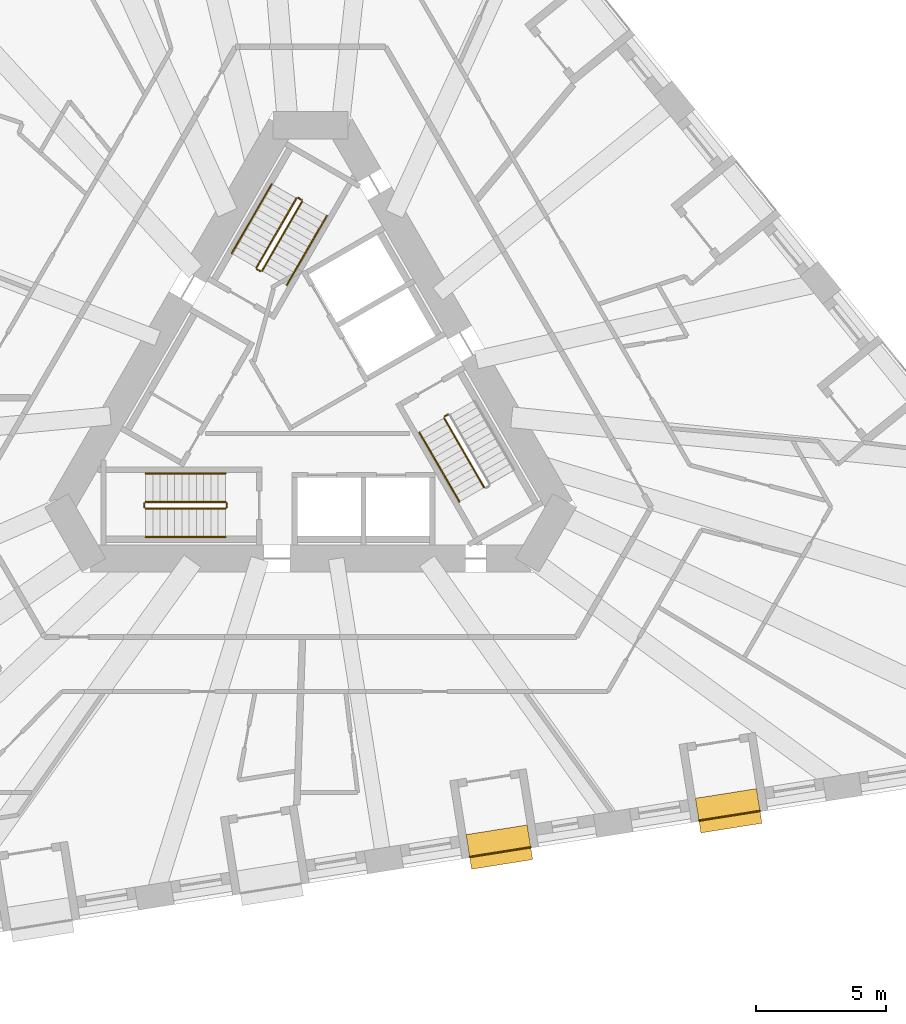
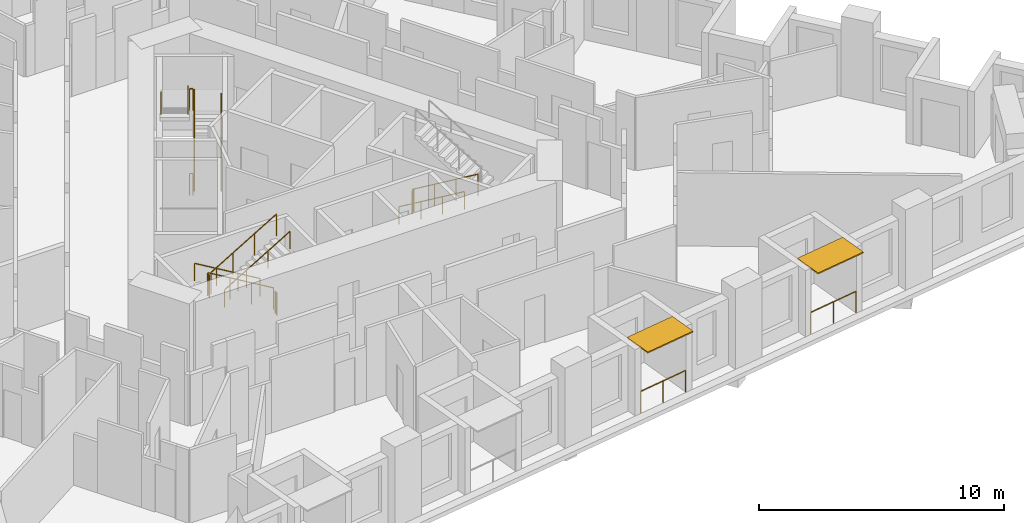
# One storey, part 12 of 14: 17 railings, 2 shading devices.
"""IFC4 building model written with IfcOpenShell, lengths in metres."""

from ifc_helpers import new_model, si_unit, direction, frame, origin, origin_2d, place, context, subcontext, project, spatial, rectangle, circle, extrude, material, layer, layer_set, type_object, element, save


model = new_model("IFC4")

# Units and contexts
model_context = context("Model", 3, precision=1e-05, world=origin(), true_north=direction((0.0, 1.0)))
body_context = subcontext(model_context, "Body", "Model", "MODEL_VIEW")
ifc_project = project(units=[si_unit("LENGTHUNIT", "METRE"), si_unit("AREAUNIT", "SQUARE_METRE"), si_unit("VOLUMEUNIT", "CUBIC_METRE"), si_unit("PLANEANGLEUNIT", "RADIAN"), si_unit("MASSUNIT", "GRAM", prefix="KILO")], contexts=[model_context])

# Site, building, storey
site_placement = place(None, origin())
site = spatial("IfcSite", under=ifc_project, at=site_placement, CompositionType="ELEMENT")
building_placement = place(site_placement, origin())
building = spatial("IfcBuilding", under=site, at=building_placement, Name="Tramontana Tower", CompositionType="ELEMENT")
storey_placement = place(building_placement, frame((0.0, 0.0, 67.199951171875)))
storey = spatial("IfcBuildingStorey", under=building, at=storey_placement, Name="L14", CompositionType="ELEMENT", Elevation=67.199951171875)

# Railings
ifc_material_1 = material(Name="Laminated glass balustrade", Category="glass")
railing_type_1 = type_object("IfcRailingType", Name="GD1 Loggia glass balustrade 1100", PredefinedType="BALUSTRADE", material=ifc_material_1)
railing_1_placement = place(storey_placement, frame((6.1318359375, -17.72900390625, 0.0)))
element("IfcRailing", 1, at=railing_1_placement, inside=storey, type_object=railing_type_1, Name="Loggia balustrade L14 G1S1.10", PredefinedType="BALUSTRADE", context=body_context, shape_type="SweptSolid", body=[
    extrude(circle(Radius=0.02392578125, at=origin_2d()), frame((0.0, 0.0, 1.076171875), z_axis=(0.987688093492, 0.15643602518, 0.0), x_axis=(-0.15643602518, 0.987688093492, 0.0)), (0.0, 0.0, 1.0), 2.383056640625),
    extrude(circle(Radius=0.02099609375, at=origin_2d()), origin(), (0.0, 0.0, 1.0), 1.052001953125),
    extrude(circle(Radius=0.02099609375, at=origin_2d()), frame((1.1767578125, 0.1865234375, 0.0)), (0.0, 0.0, 1.0), 1.052001953125),
    extrude(circle(Radius=0.02099609375, at=origin_2d()), frame((2.353759765625, 0.372802734375, 0.0)), (0.0, 0.0, 1.0), 1.052001953125),
])
railing_2_placement = place(storey_placement, frame((14.970703125, -16.3291015625, 0.0)))
element("IfcRailing", 2, at=railing_2_placement, inside=storey, type_object=railing_type_1, Name="Loggia balustrade L14 G1S1.13", PredefinedType="BALUSTRADE", context=body_context, shape_type="SweptSolid", body=[
    extrude(circle(Radius=0.02392578125, at=origin_2d()), frame((0.0, 0.0, 1.076171875), z_axis=(0.987685586014, 0.156451855793, 0.0), x_axis=(-0.156451855793, 0.987685586014, 0.0)), (0.0, 0.0, 1.0), 2.3828125),
    extrude(circle(Radius=0.02099609375, at=origin_2d()), origin(), (0.0, 0.0, 1.0), 1.052001953125),
    extrude(circle(Radius=0.02099609375, at=origin_2d()), frame((1.1767578125, 0.1865234375, 0.0)), (0.0, 0.0, 1.0), 1.052001953125),
    extrude(circle(Radius=0.02099609375, at=origin_2d()), frame((2.353515625, 0.372802734375, 0.0)), (0.0, 0.0, 1.0), 1.052001953125),
])

# Shading devices
ifc_material_2 = material(Name="Precast concrete 60 MPa", Category="concrete")
ifc_layer = layer(ifc_material_2, 0.06005859375)
ifc_layer_set = layer_set([ifc_layer], Name="SS1 Stone sunshade blade 60")
shading_device_type = type_object("IfcShadingDeviceType", Name="SS1 Stone sunshade blade 60", PredefinedType="USERDEFINED", material=ifc_layer_set)
for number, where, z_axis, x_axis, name in (
    (3, (7.2783203125, -17.35009765625, 3.239990234375), (0.0, 0.0, 1.0), (0.987688340595, 0.15643446504, 0.0), "Sunshade L14 G1S1.10"),
    (4, (16.116943359375, -15.9501953125, 3.239990234375), (0.0, 0.0, 1.0), (0.987688340595, 0.15643446504, 0.0), "Sunshade L14 G1S1.13"),
):
    element("IfcShadingDevice", number, at=place(storey_placement, frame(where, z_axis=z_axis, x_axis=x_axis)), inside=storey, type_object=shading_device_type, Name=name, ObjectType="SUNSHADE", PredefinedType="USERDEFINED", context=body_context, shape_type="SweptSolid", body=[
        extrude(rectangle(XDim=2.383056640625, YDim=1.35009765625, at=origin_2d()), origin(), (0.0, 0.0, 1.0), 0.06005859375),
    ])

# Railings
ifc_material_3 = material(Name="Painted steel", Category="steel")
railing_type_2 = type_object("IfcRailingType", Name="STAIR GUARD 1100", PredefinedType="GUARDRAIL", material=ifc_material_3)
railing_3_placement = place(storey_placement, frame((-1.867431640625, 4.865478515625, 0.166748046875)))
element("IfcRailing", 5, at=railing_3_placement, inside=storey, type_object=railing_type_2, Name="L14 ST1 stair guard 1", PredefinedType="GUARDRAIL", context=body_context, shape_type="SweptSolid", body=[
    extrude(circle(Radius=0.02392578125, at=origin_2d()), frame((0.0, 0.0, 1.076171875), z_axis=(0.429649414936, 0.744189839504, 0.511451721109), x_axis=(-0.866029832698, 0.499992328818, 0.0)), (0.0, 0.0, 1.0), 3.58447265625),
    extrude(circle(Radius=0.02099609375, at=origin_2d()), origin(), (0.0, 0.0, 1.0), 1.052001953125),
    extrude(circle(Radius=0.02099609375, at=origin_2d()), frame((0.513427734375, 0.88916015625, 0.611083984375)), (0.0, 0.0, 1.0), 1.052001953125),
    extrude(circle(Radius=0.02099609375, at=origin_2d()), frame((1.026611328125, 1.7783203125, 1.22216796875)), (0.0, 0.0, 1.0), 1.052001953125),
    extrude(circle(Radius=0.02099609375, at=origin_2d()), frame((1.5400390625, 2.66748046875, 1.833251953125)), (0.0, 0.0, 1.0), 1.052001953125),
])
railing_4_placement = place(storey_placement, frame((-0.5439453125, 7.657958984375, 2.166748046875)))
element("IfcRailing", 6, at=railing_4_placement, inside=storey, type_object=railing_type_2, Name="L14 ST1 stair guard 2", PredefinedType="GUARDRAIL", context=body_context, shape_type="SweptSolid", body=[
    extrude(circle(Radius=0.02392578125, at=origin_2d()), frame((0.0, 0.0, 1.076171875), z_axis=(-0.429649414936, -0.744189839504, 0.511451721109), x_axis=(0.866029832698, -0.499992328818, 0.0)), (0.0, 0.0, 1.0), 3.58447265625),
    extrude(circle(Radius=0.02099609375, at=origin_2d()), origin(), (0.0, 0.0, 1.0), 1.052001953125),
    extrude(circle(Radius=0.02099609375, at=origin_2d()), frame((-0.513427734375, -0.88916015625, 0.611083984375)), (0.0, 0.0, 1.0), 1.052001953125),
    extrude(circle(Radius=0.02099609375, at=origin_2d()), frame((-1.026611328125, -1.7783203125, 1.22216796875)), (0.0, 0.0, 1.0), 1.052001953125),
    extrude(circle(Radius=0.02099609375, at=origin_2d()), frame((-1.5400390625, -2.66748046875, 1.833251953125)), (0.0, 0.0, 1.0), 1.052001953125),
])
railing_5_placement = place(storey_placement, frame((-0.345703125, 7.601318359375, 2.0)))
element("IfcRailing", 7, at=railing_5_placement, inside=storey, type_object=railing_type_2, Name="L14 ST1 stair guard 3", PredefinedType="GUARDRAIL", context=body_context, shape_type="SweptSolid", body=[
    extrude(circle(Radius=0.02392578125, at=origin_2d()), frame((0.0, 0.0, 1.076171875), z_axis=(-0.866131372301, 0.499816412211, 0.0), x_axis=(-0.499816412211, -0.866131372301, 0.0)), (0.0, 0.0, 1.0), 0.14990234375),
    extrude(circle(Radius=0.02099609375, at=origin_2d()), origin(), (0.0, 0.0, 1.0), 1.052001953125),
    extrude(circle(Radius=0.02099609375, at=origin_2d()), frame((-0.1298828125, 0.074951171875, 0.0)), (0.0, 0.0, 1.0), 1.052001953125),
])
railing_6_placement = place(storey_placement, frame((-1.935791015625, 4.84716796875, 0.0)))
element("IfcRailing", 8, at=railing_6_placement, inside=storey, type_object=railing_type_2, Name="L14 ST1 stair guard 4", PredefinedType="GUARDRAIL", context=body_context, shape_type="SweptSolid", body=[
    extrude(circle(Radius=0.02392578125, at=origin_2d()), frame((0.0, 0.0, 1.076171875), z_axis=(-0.865426285481, 0.501036270542, 0.0), x_axis=(-0.501036270542, -0.865426285481, 0.0)), (0.0, 0.0, 1.0), 0.150146484375),
    extrude(circle(Radius=0.02099609375, at=origin_2d()), origin(), (0.0, 0.0, 1.0), 1.052001953125),
    extrude(circle(Radius=0.02099609375, at=origin_2d()), frame((-0.1298828125, 0.0751953125, 0.0)), (0.0, 0.0, 1.0), 1.052001953125),
])
railing_7_placement = place(storey_placement, frame((-3.280029296875, -4.050048828125, 0.166748046875)))
element("IfcRailing", 9, at=railing_7_placement, inside=storey, type_object=railing_type_2, Name="L14 ST2 stair guard 1", PredefinedType="GUARDRAIL", context=body_context, shape_type="SweptSolid", body=[
    extrude(circle(Radius=0.02392578125, at=origin_2d()), frame((0.0, 0.0, 1.076171875), z_axis=(-0.859308565015, 0.0, 0.511457515432), x_axis=(0.0, -1.0, 0.0)), (0.0, 0.0, 1.0), 3.58447265625),
    extrude(circle(Radius=0.02099609375, at=origin_2d()), origin(), (0.0, 0.0, 1.0), 1.052001953125),
    extrude(circle(Radius=0.02099609375, at=origin_2d()), frame((-1.026611328125, 0.0, 0.611083984375)), (0.0, 0.0, 1.0), 1.052001953125),
    extrude(circle(Radius=0.02099609375, at=origin_2d()), frame((-2.053466796875, 0.0, 1.22216796875)), (0.0, 0.0, 1.0), 1.052001953125),
    extrude(circle(Radius=0.02099609375, at=origin_2d()), frame((-3.080078125, 0.0, 1.833251953125)), (0.0, 0.0, 1.0), 1.052001953125),
])
railing_8_placement = place(storey_placement, frame((-6.360107421875, -4.300048828125, 2.166748046875)))
element("IfcRailing", 10, at=railing_8_placement, inside=storey, type_object=railing_type_2, Name="L14 ST2 stair guard 2", PredefinedType="GUARDRAIL", context=body_context, shape_type="SweptSolid", body=[
    extrude(circle(Radius=0.02392578125, at=origin_2d()), frame((0.0, 0.0, 1.076171875), z_axis=(0.859308565015, 0.0, 0.511457515432), x_axis=(0.0, 1.0, 0.0)), (0.0, 0.0, 1.0), 3.58447265625),
    extrude(circle(Radius=0.02099609375, at=origin_2d()), origin(), (0.0, 0.0, 1.0), 1.052001953125),
    extrude(circle(Radius=0.02099609375, at=origin_2d()), frame((1.026611328125, 0.0, 0.611083984375)), (0.0, 0.0, 1.0), 1.052001953125),
    extrude(circle(Radius=0.02099609375, at=origin_2d()), frame((2.053466796875, 0.0, 1.22216796875)), (0.0, 0.0, 1.0), 1.052001953125),
    extrude(circle(Radius=0.02099609375, at=origin_2d()), frame((3.080078125, 0.0, 1.833251953125)), (0.0, 0.0, 1.0), 1.052001953125),
])
for number, where, name in (
    (11, (-6.409912109375, -4.10009765625, 2.0), "L14 ST2 stair guard 3"),
    (12, (-3.22998046875, -4.10009765625, 0.0), "L14 ST2 stair guard 4"),
):
    element("IfcRailing", number, at=place(storey_placement, frame(where)), inside=storey, type_object=railing_type_2, Name=name, PredefinedType="GUARDRAIL", context=body_context, shape_type="SweptSolid", body=[
        extrude(circle(Radius=0.02392578125, at=origin_2d()), frame((0.0, 0.0, 1.076171875), z_axis=(0.0, -1.0, 0.0), x_axis=(1.0, 0.0, 0.0)), (0.0, 0.0, 1.0), 0.14990234375),
        extrude(circle(Radius=0.02099609375, at=origin_2d()), origin(), (0.0, 0.0, 1.0), 1.052001953125),
        extrude(circle(Radius=0.02099609375, at=origin_2d()), frame((0.0, -0.14990234375, 0.0)), (0.0, 0.0, 1.0), 1.052001953125),
    ])
railing_9_placement = place(storey_placement, frame((5.1474609375, -0.815673828125, 0.166748046875)))
element("IfcRailing", 13, at=railing_9_placement, inside=storey, type_object=railing_type_2, Name="L14 ST3 stair guard 1", PredefinedType="GUARDRAIL", context=body_context, shape_type="SweptSolid", body=[
    extrude(circle(Radius=0.02392578125, at=origin_2d()), frame((0.0, 0.0, 1.076171875), z_axis=(0.429671193721, -0.744159446956, 0.511477646425), x_axis=(0.866010015463, 0.500026652407, 0.0)), (0.0, 0.0, 1.0), 3.584228515625),
    extrude(circle(Radius=0.02099609375, at=origin_2d()), origin(), (0.0, 0.0, 1.0), 1.052001953125),
    extrude(circle(Radius=0.02099609375, at=origin_2d()), frame((0.513427734375, -0.88916015625, 0.611083984375)), (0.0, 0.0, 1.0), 1.052001953125),
    extrude(circle(Radius=0.02099609375, at=origin_2d()), frame((1.026611328125, -1.778076171875, 1.22216796875)), (0.0, 0.0, 1.0), 1.052001953125),
    extrude(circle(Radius=0.02099609375, at=origin_2d()), frame((1.5400390625, -2.667236328125, 1.833251953125)), (0.0, 0.0, 1.0), 1.052001953125),
])
railing_10_placement = place(storey_placement, frame((5.165771484375, -0.747314453125, 0.0)))
element("IfcRailing", 14, at=railing_10_placement, inside=storey, type_object=railing_type_2, Name="L14 ST3 stair guard 4", PredefinedType="GUARDRAIL", context=body_context, shape_type="SweptSolid", body=[
    extrude(circle(Radius=0.02392578125, at=origin_2d()), frame((0.0, 0.0, 1.076171875), z_axis=(0.866131372301, 0.499816412211, 0.0), x_axis=(-0.499816412211, 0.866131372301, 0.0)), (0.0, 0.0, 1.0), 0.14990234375),
    extrude(circle(Radius=0.02099609375, at=origin_2d()), origin(), (0.0, 0.0, 1.0), 1.052001953125),
    extrude(circle(Radius=0.02099609375, at=origin_2d()), frame((0.1298828125, 0.074951171875, 0.0)), (0.0, 0.0, 1.0), 1.052001953125),
])
ifc_material_4 = material(Name="Painted steel", Category="steel")
railing_type_3 = type_object("IfcRailingType", Name="STAIR HANDRAIL 900", PredefinedType="HANDRAIL", material=ifc_material_4)
railing_11_placement = place(storey_placement, frame((-0.914794921875, 4.315673828125, 0.166748046875)))
element("IfcRailing", 15, at=railing_11_placement, inside=storey, type_object=railing_type_3, Name="L14 ST1 stair handrail 1", PredefinedType="HANDRAIL", context=body_context, shape_type="SweptSolid", body=[
    extrude(circle(Radius=0.02392578125, at=origin_2d()), frame((0.0, 0.0, 0.8759765625), z_axis=(0.429671193721, 0.744159446956, 0.511477646425), x_axis=(-0.866010015463, 0.500026652407, 0.0)), (0.0, 0.0, 1.0), 3.584228515625),
    extrude(circle(Radius=0.02099609375, at=origin_2d()), origin(), (0.0, 0.0, 1.0), 0.851806640625),
    extrude(circle(Radius=0.02099609375, at=origin_2d()), frame((0.513427734375, 0.88916015625, 0.611083984375)), (0.0, 0.0, 1.0), 0.851806640625),
    extrude(circle(Radius=0.02099609375, at=origin_2d()), frame((1.026611328125, 1.778076171875, 1.22216796875)), (0.0, 0.0, 1.0), 0.851806640625),
    extrude(circle(Radius=0.02099609375, at=origin_2d()), frame((1.5400390625, 2.667236328125, 1.833251953125)), (0.0, 0.0, 1.0), 0.851806640625),
])
railing_12_placement = place(storey_placement, frame((-1.49658203125, 8.2080078125, 2.166748046875)))
element("IfcRailing", 16, at=railing_12_placement, inside=storey, type_object=railing_type_3, Name="L14 ST1 stair handrail 2", PredefinedType="HANDRAIL", context=body_context, shape_type="SweptSolid", body=[
    extrude(circle(Radius=0.02392578125, at=origin_2d()), frame((0.0, 0.0, 0.8759765625), z_axis=(-0.429649414936, -0.744189839504, 0.511451721109), x_axis=(0.866029832698, -0.499992328818, 0.0)), (0.0, 0.0, 1.0), 3.58447265625),
    extrude(circle(Radius=0.02099609375, at=origin_2d()), origin(), (0.0, 0.0, 1.0), 0.851806640625),
    extrude(circle(Radius=0.02099609375, at=origin_2d()), frame((-0.513427734375, -0.88916015625, 0.611083984375)), (0.0, 0.0, 1.0), 0.851806640625),
    extrude(circle(Radius=0.02099609375, at=origin_2d()), frame((-1.026611328125, -1.7783203125, 1.22216796875)), (0.0, 0.0, 1.0), 0.851806640625),
    extrude(circle(Radius=0.02099609375, at=origin_2d()), frame((-1.5400390625, -2.66748046875, 1.833251953125)), (0.0, 0.0, 1.0), 0.851806640625),
])
railing_13_placement = place(storey_placement, frame((-3.280029296875, -2.949951171875, 0.166748046875)))
element("IfcRailing", 17, at=railing_13_placement, inside=storey, type_object=railing_type_3, Name="L14 ST2 stair handrail 1", PredefinedType="HANDRAIL", context=body_context, shape_type="SweptSolid", body=[
    extrude(circle(Radius=0.02392578125, at=origin_2d()), frame((0.0, 0.0, 0.8759765625), z_axis=(-0.859308565015, 0.0, 0.511457515432), x_axis=(0.0, -1.0, 0.0)), (0.0, 0.0, 1.0), 3.58447265625),
    extrude(circle(Radius=0.02099609375, at=origin_2d()), origin(), (0.0, 0.0, 1.0), 0.851806640625),
    extrude(circle(Radius=0.02099609375, at=origin_2d()), frame((-1.026611328125, 0.0, 0.611083984375)), (0.0, 0.0, 1.0), 0.851806640625),
    extrude(circle(Radius=0.02099609375, at=origin_2d()), frame((-2.053466796875, 0.0, 1.22216796875)), (0.0, 0.0, 1.0), 0.851806640625),
    extrude(circle(Radius=0.02099609375, at=origin_2d()), frame((-3.080078125, 0.0, 1.833251953125)), (0.0, 0.0, 1.0), 0.851806640625),
])
railing_14_placement = place(storey_placement, frame((-6.360107421875, -5.39990234375, 2.166748046875)))
element("IfcRailing", 18, at=railing_14_placement, inside=storey, type_object=railing_type_3, Name="L14 ST2 stair handrail 2", PredefinedType="HANDRAIL", context=body_context, shape_type="SweptSolid", body=[
    extrude(circle(Radius=0.02392578125, at=origin_2d()), frame((0.0, 0.0, 0.8759765625), z_axis=(0.859308565015, 0.0, 0.511457515432), x_axis=(0.0, 1.0, 0.0)), (0.0, 0.0, 1.0), 3.58447265625),
    extrude(circle(Radius=0.02099609375, at=origin_2d()), origin(), (0.0, 0.0, 1.0), 0.851806640625),
    extrude(circle(Radius=0.02099609375, at=origin_2d()), frame((1.026611328125, 0.0, 0.611083984375)), (0.0, 0.0, 1.0), 0.851806640625),
    extrude(circle(Radius=0.02099609375, at=origin_2d()), frame((2.053466796875, 0.0, 1.22216796875)), (0.0, 0.0, 1.0), 0.851806640625),
    extrude(circle(Radius=0.02099609375, at=origin_2d()), frame((3.080078125, 0.0, 1.833251953125)), (0.0, 0.0, 1.0), 0.851806640625),
])
railing_15_placement = place(storey_placement, frame((4.19482421875, -1.365478515625, 0.166748046875)))
element("IfcRailing", 19, at=railing_15_placement, inside=storey, type_object=railing_type_3, Name="L14 ST3 stair handrail 1", PredefinedType="HANDRAIL", context=body_context, shape_type="SweptSolid", body=[
    extrude(circle(Radius=0.02392578125, at=origin_2d()), frame((0.0, 0.0, 0.8759765625), z_axis=(0.429649414936, -0.744189839504, 0.511451721109), x_axis=(0.866029832698, 0.499992328818, 0.0)), (0.0, 0.0, 1.0), 3.58447265625),
    extrude(circle(Radius=0.02099609375, at=origin_2d()), origin(), (0.0, 0.0, 1.0), 0.851806640625),
    extrude(circle(Radius=0.02099609375, at=origin_2d()), frame((0.513427734375, -0.88916015625, 0.611083984375)), (0.0, 0.0, 1.0), 0.851806640625),
    extrude(circle(Radius=0.02099609375, at=origin_2d()), frame((1.026611328125, -1.7783203125, 1.22216796875)), (0.0, 0.0, 1.0), 0.851806640625),
    extrude(circle(Radius=0.02099609375, at=origin_2d()), frame((1.5400390625, -2.66748046875, 1.833251953125)), (0.0, 0.0, 1.0), 0.851806640625),
])

save(model, "model.ifc")
